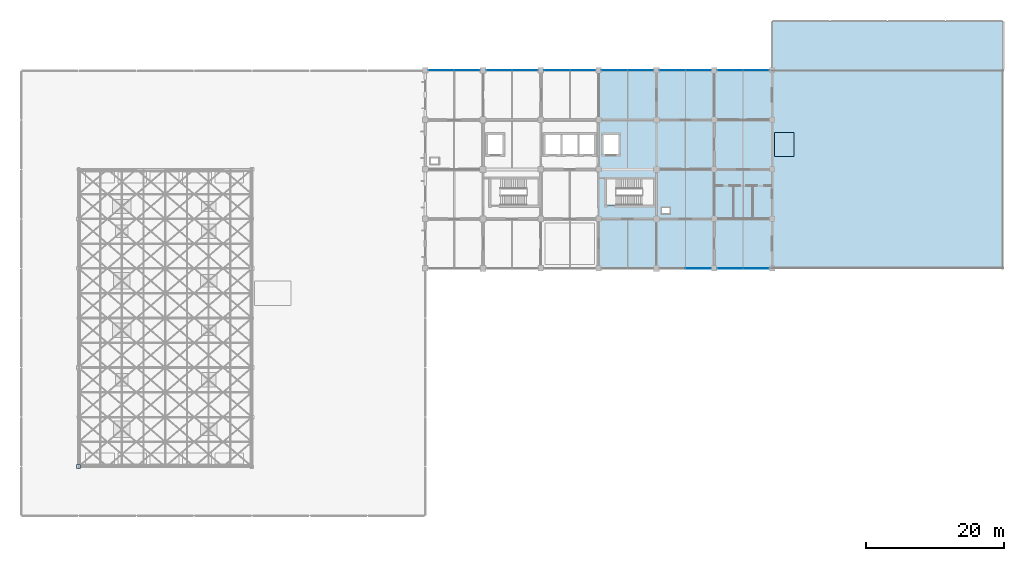
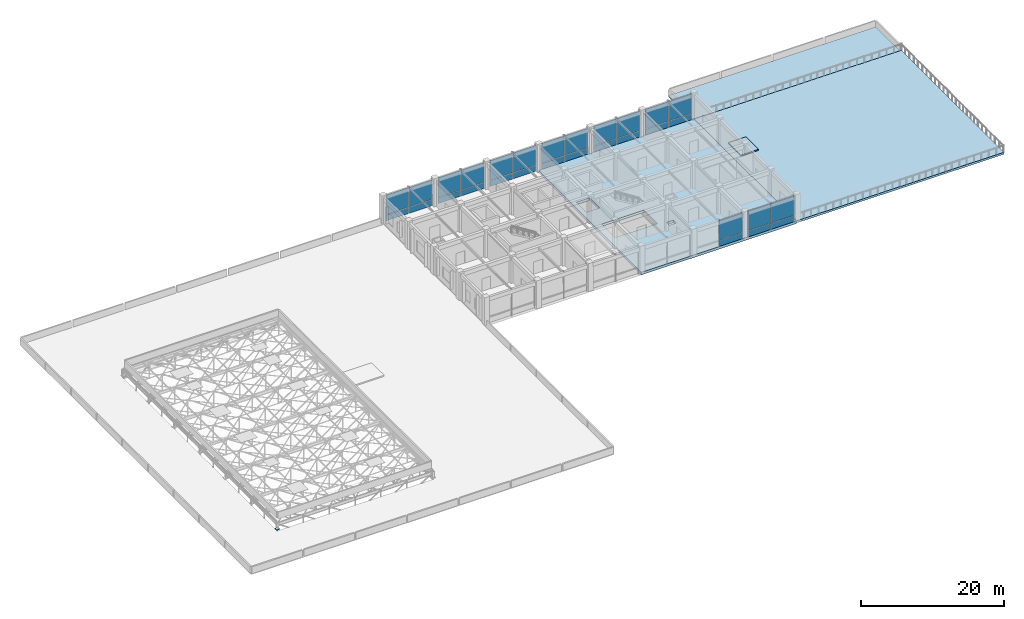
# One storey, part 37 of 45: 31 plates, 4 slabs, 8 elements without a shape of their own.
"""IFC4 building model written with IfcOpenShell, lengths in metres."""

from ifc_helpers import new_model, si_unit, derived_unit, direction, frame, origin, origin_2d, place, context, subcontext, project, spatial, polyline, rectangle, outline, extrude, material, layer, layer_set, type_object, element, aggregate, save


model = new_model("IFC4")

# Units and contexts
model_context = context("Model", 3, precision=1e-05, world=origin(), true_north=direction((0.0, 1.0)))
body_context = subcontext(model_context, "Body", "Model", "MODEL_VIEW")
ifc_project = project(units=[si_unit("LENGTHUNIT", "METRE"), si_unit("AREAUNIT", "SQUARE_METRE"), si_unit("VOLUMEUNIT", "CUBIC_METRE"), si_unit("PLANEANGLEUNIT", "RADIAN"), si_unit("MASSUNIT", "GRAM", prefix="KILO"), derived_unit("THERMALTRANSMITTANCEUNIT", [(si_unit("MASSUNIT", "GRAM", prefix="KILO"), 1), (si_unit("TIMEUNIT", "SECOND"), -3), (si_unit("THERMODYNAMICTEMPERATUREUNIT", "KELVIN"), -1)])], contexts=[model_context])

# Site, building, storey
site_placement = place(None, origin())
site = spatial("IfcSite", under=ifc_project, at=site_placement, CompositionType="ELEMENT")
building_placement = place(site_placement, origin())
building = spatial("IfcBuilding", under=site, at=building_placement, Name="Veldstrom Oceanarium and Marine Research Institute", CompositionType="ELEMENT")
storey_placement = place(building_placement, frame((0.0, 0.0, 22.199951171875)))
storey = spatial("IfcBuildingStorey", under=building, at=storey_placement, Name="L04", CompositionType="ELEMENT", Elevation=22.199951171875)

# Curtain wall, plates
ifc_material_1 = material(Name="Anodised Aluminium Framing", Category="aluminium")
curtain_wall_type = type_object("IfcCurtainWallType", Name="ARC-CW-CW03", PredefinedType="USERDEFINED", material=ifc_material_1)
curtain_wall_1_placement = place(storey_placement, origin())
curtain_wall_1 = element("IfcCurtainWall", 1, at=curtain_wall_1_placement, inside=storey, type_object=curtain_wall_type, Name="Curtain Wall CW03 CW-L04-079", ObjectType="Curtain wall", PredefinedType="USERDEFINED")
ifc_material_2 = material(Name="Double Glazed Low-E IGU", Category="glass")
ifc_layer_1 = layer(ifc_material_2, 0.035888671875)
ifc_layer_set_1 = layer_set([ifc_layer_1], Name="ARC-PLT-CP03")
plate_type_1 = type_object("IfcPlateType", Name="ARC-PLT-CP03", PredefinedType="CURTAIN_PANEL", material=ifc_layer_set_1)
plate_1_placement = place(storey_placement, frame((69.513671875, 72.0, 1.09033203125), z_axis=(0.0, 0.0, 1.0), x_axis=(1.0, 0.0, 0.0)))
plate_1 = element("IfcPlate", 2, at=plate_1_placement, type_object=plate_type_1, Name="Curtain Vision Panel CW-L04-079-PNL-V1", PredefinedType="CURTAIN_PANEL", context=body_context, shape_type="SweptSolid", body=[
    extrude(rectangle(XDim=3.66748046875, YDim=0.035888671875, at=origin_2d()), origin(), (0.0, 0.0, 1.0), 3.409912109375),
])
plate_2_placement = place(storey_placement, frame((73.26123046875, 72.0, 1.09033203125), z_axis=(0.0, 0.0, 1.0), x_axis=(1.0, 0.0, 0.0)))
plate_2 = element("IfcPlate", 3, at=plate_2_placement, type_object=plate_type_1, Name="Curtain Vision Panel CW-L04-079-PNL-V2", PredefinedType="CURTAIN_PANEL", context=body_context, shape_type="SweptSolid", body=[
    extrude(rectangle(XDim=3.66748046875, YDim=0.035888671875, at=origin_2d()), origin(), (0.0, 0.0, 1.0), 3.409912109375),
])

curtain_wall_2_placement = place(storey_placement, origin())
curtain_wall_2 = element("IfcCurtainWall", 4, at=curtain_wall_2_placement, inside=storey, type_object=curtain_wall_type, Name="Curtain Wall CW03 CW-L04-081", ObjectType="Curtain wall", PredefinedType="USERDEFINED")
plate_3_placement = place(storey_placement, frame((77.938720703125, 72.0, 1.09033203125), z_axis=(0.0, 0.0, 1.0), x_axis=(1.0, 0.0, 0.0)))
plate_3 = element("IfcPlate", 5, at=plate_3_placement, type_object=plate_type_1, Name="Curtain Vision Panel CW-L04-081-PNL-V1", PredefinedType="CURTAIN_PANEL", context=body_context, shape_type="SweptSolid", body=[
    extrude(rectangle(XDim=3.66748046875, YDim=0.035888671875, at=origin_2d()), origin(), (0.0, 0.0, 1.0), 3.409912109375),
])
plate_4_placement = place(storey_placement, frame((81.686279296875, 72.0, 1.09033203125), z_axis=(0.0, 0.0, 1.0), x_axis=(1.0, 0.0, 0.0)))
plate_4 = element("IfcPlate", 6, at=plate_4_placement, type_object=plate_type_1, Name="Curtain Vision Panel CW-L04-081-PNL-V2", PredefinedType="CURTAIN_PANEL", context=body_context, shape_type="SweptSolid", body=[
    extrude(rectangle(XDim=3.66748046875, YDim=0.035888671875, at=origin_2d()), origin(), (0.0, 0.0, 1.0), 3.409912109375),
])

curtain_wall_3_placement = place(storey_placement, origin())
curtain_wall_3 = element("IfcCurtainWall", 7, at=curtain_wall_3_placement, inside=storey, type_object=curtain_wall_type, Name="Curtain Wall CW03 CW-L04-083", ObjectType="Curtain wall", PredefinedType="USERDEFINED")
plate_5_placement = place(storey_placement, frame((86.320068359375, 72.0, 1.09033203125), z_axis=(0.0, 0.0, 1.0), x_axis=(1.0, 0.0, 0.0)))
plate_5 = element("IfcPlate", 8, at=plate_5_placement, type_object=plate_type_1, Name="Curtain Vision Panel CW-L04-083-PNL-V1", PredefinedType="CURTAIN_PANEL", context=body_context, shape_type="SweptSolid", body=[
    extrude(rectangle(XDim=3.679931640625, YDim=0.035888671875, at=origin_2d()), origin(), (0.0, 0.0, 1.0), 3.409912109375),
])
plate_6_placement = place(storey_placement, frame((90.080078125, 72.0, 1.09033203125), z_axis=(0.0, 0.0, 1.0), x_axis=(1.0, 0.0, 0.0)))
plate_6 = element("IfcPlate", 9, at=plate_6_placement, type_object=plate_type_1, Name="Curtain Vision Panel CW-L04-083-PNL-V2", PredefinedType="CURTAIN_PANEL", context=body_context, shape_type="SweptSolid", body=[
    extrude(rectangle(XDim=3.679931640625, YDim=0.035888671875, at=origin_2d()), origin(), (0.0, 0.0, 1.0), 3.409912109375),
])

curtain_wall_4_placement = place(storey_placement, origin())
curtain_wall_4 = element("IfcCurtainWall", 10, at=curtain_wall_4_placement, inside=storey, type_object=curtain_wall_type, Name="Curtain Wall CW03 CW-L04-085", ObjectType="Curtain wall", PredefinedType="USERDEFINED")
plate_7_placement = place(storey_placement, frame((94.713623046875, 72.0, 1.09033203125), z_axis=(0.0, 0.0, 1.0), x_axis=(1.0, 0.0, 0.0)))
plate_7 = element("IfcPlate", 11, at=plate_7_placement, type_object=plate_type_1, Name="Curtain Vision Panel CW-L04-085-PNL-V1", PredefinedType="CURTAIN_PANEL", context=body_context, shape_type="SweptSolid", body=[
    extrude(rectangle(XDim=3.66748046875, YDim=0.035888671875, at=origin_2d()), origin(), (0.0, 0.0, 1.0), 3.409912109375),
])
plate_8_placement = place(storey_placement, frame((98.461181640625, 72.0, 1.09033203125), z_axis=(0.0, 0.0, 1.0), x_axis=(1.0, 0.0, 0.0)))
plate_8 = element("IfcPlate", 12, at=plate_8_placement, type_object=plate_type_1, Name="Curtain Vision Panel CW-L04-085-PNL-V2", PredefinedType="CURTAIN_PANEL", context=body_context, shape_type="SweptSolid", body=[
    extrude(rectangle(XDim=3.66748046875, YDim=0.035888671875, at=origin_2d()), origin(), (0.0, 0.0, 1.0), 3.409912109375),
])

# Curtain wall, plate
curtain_wall_5_placement = place(storey_placement, origin())
curtain_wall_5 = element("IfcCurtainWall", 13, at=curtain_wall_5_placement, inside=storey, type_object=curtain_wall_type, Name="Curtain Wall CW03 CW-L04-086", ObjectType="Curtain wall", PredefinedType="USERDEFINED")
plate_9_placement = place(storey_placement, frame((106.88623046875, 43.199951171875, 1.09033203125), z_axis=(0.0, 0.0, 1.0), x_axis=(1.0, 0.0, 0.0)))
plate_9 = element("IfcPlate", 14, at=plate_9_placement, type_object=plate_type_1, Name="Curtain Vision Panel CW-L04-086-PNL-V2", PredefinedType="CURTAIN_PANEL", context=body_context, shape_type="SweptSolid", body=[
    extrude(rectangle(XDim=3.66748046875, YDim=0.035888671875, at=origin_2d()), origin(), (0.0, 0.0, 1.0), 3.409912109375),
])

# Curtain wall, plates
curtain_wall_6_placement = place(storey_placement, origin())
curtain_wall_6 = element("IfcCurtainWall", 15, at=curtain_wall_6_placement, inside=storey, type_object=curtain_wall_type, Name="Curtain Wall CW03 CW-L04-087", ObjectType="Curtain wall", PredefinedType="USERDEFINED")
plate_10_placement = place(storey_placement, frame((103.138671875, 72.0, 1.09033203125), z_axis=(0.0, 0.0, 1.0), x_axis=(1.0, 0.0, 0.0)))
plate_10 = element("IfcPlate", 16, at=plate_10_placement, type_object=plate_type_1, Name="Curtain Vision Panel CW-L04-087-PNL-V1", PredefinedType="CURTAIN_PANEL", context=body_context, shape_type="SweptSolid", body=[
    extrude(rectangle(XDim=3.66748046875, YDim=0.035888671875, at=origin_2d()), origin(), (0.0, 0.0, 1.0), 3.409912109375),
])
plate_11_placement = place(storey_placement, frame((106.88623046875, 72.0, 1.09033203125), z_axis=(0.0, 0.0, 1.0), x_axis=(1.0, 0.0, 0.0)))
plate_11 = element("IfcPlate", 17, at=plate_11_placement, type_object=plate_type_1, Name="Curtain Vision Panel CW-L04-087-PNL-V2", PredefinedType="CURTAIN_PANEL", context=body_context, shape_type="SweptSolid", body=[
    extrude(rectangle(XDim=3.66748046875, YDim=0.035888671875, at=origin_2d()), origin(), (0.0, 0.0, 1.0), 3.409912109375),
])

curtain_wall_7_placement = place(storey_placement, origin())
curtain_wall_7 = element("IfcCurtainWall", 18, at=curtain_wall_7_placement, inside=storey, type_object=curtain_wall_type, Name="Curtain Wall CW03 CW-L04-088", ObjectType="Curtain wall", PredefinedType="USERDEFINED")
plate_12_placement = place(storey_placement, frame((111.52001953125, 43.199951171875, 1.09033203125), z_axis=(0.0, 0.0, 1.0), x_axis=(1.0, 0.0, 0.0)))
plate_12 = element("IfcPlate", 19, at=plate_12_placement, type_object=plate_type_1, Name="Curtain Vision Panel CW-L04-088-PNL-V1", PredefinedType="CURTAIN_PANEL", context=body_context, shape_type="SweptSolid", body=[
    extrude(rectangle(XDim=3.679931640625, YDim=0.035888671875, at=origin_2d()), origin(), (0.0, 0.0, 1.0), 3.409912109375),
])
plate_13_placement = place(storey_placement, frame((115.280029296875, 43.199951171875, 1.09033203125), z_axis=(0.0, 0.0, 1.0), x_axis=(1.0, 0.0, 0.0)))
plate_13 = element("IfcPlate", 20, at=plate_13_placement, type_object=plate_type_1, Name="Curtain Vision Panel CW-L04-088-PNL-V2", PredefinedType="CURTAIN_PANEL", context=body_context, shape_type="SweptSolid", body=[
    extrude(rectangle(XDim=3.679931640625, YDim=0.035888671875, at=origin_2d()), origin(), (0.0, 0.0, 1.0), 3.409912109375),
])

curtain_wall_8_placement = place(storey_placement, origin())
curtain_wall_8 = element("IfcCurtainWall", 21, at=curtain_wall_8_placement, inside=storey, type_object=curtain_wall_type, Name="Curtain Wall CW03 CW-L04-089", ObjectType="Curtain wall", PredefinedType="USERDEFINED")
plate_14_placement = place(storey_placement, frame((111.52001953125, 72.0, 1.09033203125), z_axis=(0.0, 0.0, 1.0), x_axis=(1.0, 0.0, 0.0)))
plate_14 = element("IfcPlate", 22, at=plate_14_placement, type_object=plate_type_1, Name="Curtain Vision Panel CW-L04-089-PNL-V1", PredefinedType="CURTAIN_PANEL", context=body_context, shape_type="SweptSolid", body=[
    extrude(rectangle(XDim=3.679931640625, YDim=0.035888671875, at=origin_2d()), origin(), (0.0, 0.0, 1.0), 3.409912109375),
])
plate_15_placement = place(storey_placement, frame((115.280029296875, 72.0, 1.09033203125), z_axis=(0.0, 0.0, 1.0), x_axis=(1.0, 0.0, 0.0)))
plate_15 = element("IfcPlate", 23, at=plate_15_placement, type_object=plate_type_1, Name="Curtain Vision Panel CW-L04-089-PNL-V2", PredefinedType="CURTAIN_PANEL", context=body_context, shape_type="SweptSolid", body=[
    extrude(rectangle(XDim=3.679931640625, YDim=0.035888671875, at=origin_2d()), origin(), (0.0, 0.0, 1.0), 3.409912109375),
])

# Plate
ifc_material_3 = material(Name="Insulated Aluminium Spandrel", Category="aluminium")
ifc_layer_2 = layer(ifc_material_3, 0.044921875)
ifc_layer_set_2 = layer_set([ifc_layer_2], Name="ARC-PLT-CP04")
plate_type_2 = type_object("IfcPlateType", Name="ARC-PLT-CP04", PredefinedType="CURTAIN_PANEL", material=ifc_layer_set_2)
plate_16_placement = place(storey_placement, frame((69.513671875, 72.0, 0.02001953125), z_axis=(0.0, 0.0, 1.0), x_axis=(1.0, 0.0, 0.0)))
plate_16 = element("IfcPlate", 24, at=plate_16_placement, type_object=plate_type_2, Name="Curtain Spandrel Panel CW-L04-079-PNL-S1", PredefinedType="CURTAIN_PANEL", context=body_context, shape_type="SweptSolid", body=[
    extrude(rectangle(XDim=3.66748046875, YDim=0.044921875, at=origin_2d()), origin(), (0.0, 0.0, 1.0), 0.989990234375),
])

plate_17_placement = place(storey_placement, frame((73.26123046875, 72.0, 0.02001953125), z_axis=(0.0, 0.0, 1.0), x_axis=(1.0, 0.0, 0.0)))
plate_17 = element("IfcPlate", 25, at=plate_17_placement, type_object=plate_type_2, Name="Curtain Spandrel Panel CW-L04-079-PNL-S2", PredefinedType="CURTAIN_PANEL", context=body_context, shape_type="SweptSolid", body=[
    extrude(rectangle(XDim=3.66748046875, YDim=0.044921875, at=origin_2d()), origin(), (0.0, 0.0, 1.0), 0.989990234375),
])

aggregate(curtain_wall_1, [plate_16, plate_1, plate_17, plate_2])

plate_18_placement = place(storey_placement, frame((77.938720703125, 72.0, 0.02001953125), z_axis=(0.0, 0.0, 1.0), x_axis=(1.0, 0.0, 0.0)))
plate_18 = element("IfcPlate", 26, at=plate_18_placement, type_object=plate_type_2, Name="Curtain Spandrel Panel CW-L04-081-PNL-S1", PredefinedType="CURTAIN_PANEL", context=body_context, shape_type="SweptSolid", body=[
    extrude(rectangle(XDim=3.66748046875, YDim=0.044921875, at=origin_2d()), origin(), (0.0, 0.0, 1.0), 0.989990234375),
])

plate_19_placement = place(storey_placement, frame((81.686279296875, 72.0, 0.02001953125), z_axis=(0.0, 0.0, 1.0), x_axis=(1.0, 0.0, 0.0)))
plate_19 = element("IfcPlate", 27, at=plate_19_placement, type_object=plate_type_2, Name="Curtain Spandrel Panel CW-L04-081-PNL-S2", PredefinedType="CURTAIN_PANEL", context=body_context, shape_type="SweptSolid", body=[
    extrude(rectangle(XDim=3.66748046875, YDim=0.044921875, at=origin_2d()), origin(), (0.0, 0.0, 1.0), 0.989990234375),
])

aggregate(curtain_wall_2, [plate_18, plate_3, plate_19, plate_4])

plate_20_placement = place(storey_placement, frame((86.320068359375, 72.0, 0.02001953125), z_axis=(0.0, 0.0, 1.0), x_axis=(1.0, 0.0, 0.0)))
plate_20 = element("IfcPlate", 28, at=plate_20_placement, type_object=plate_type_2, Name="Curtain Spandrel Panel CW-L04-083-PNL-S1", PredefinedType="CURTAIN_PANEL", context=body_context, shape_type="SweptSolid", body=[
    extrude(rectangle(XDim=3.679931640625, YDim=0.044921875, at=origin_2d()), origin(), (0.0, 0.0, 1.0), 0.989990234375),
])

plate_21_placement = place(storey_placement, frame((90.080078125, 72.0, 0.02001953125), z_axis=(0.0, 0.0, 1.0), x_axis=(1.0, 0.0, 0.0)))
plate_21 = element("IfcPlate", 29, at=plate_21_placement, type_object=plate_type_2, Name="Curtain Spandrel Panel CW-L04-083-PNL-S2", PredefinedType="CURTAIN_PANEL", context=body_context, shape_type="SweptSolid", body=[
    extrude(rectangle(XDim=3.679931640625, YDim=0.044921875, at=origin_2d()), origin(), (0.0, 0.0, 1.0), 0.989990234375),
])

aggregate(curtain_wall_3, [plate_20, plate_5, plate_21, plate_6])

plate_22_placement = place(storey_placement, frame((94.713623046875, 72.0, 0.02001953125), z_axis=(0.0, 0.0, 1.0), x_axis=(1.0, 0.0, 0.0)))
plate_22 = element("IfcPlate", 30, at=plate_22_placement, type_object=plate_type_2, Name="Curtain Spandrel Panel CW-L04-085-PNL-S1", PredefinedType="CURTAIN_PANEL", context=body_context, shape_type="SweptSolid", body=[
    extrude(rectangle(XDim=3.66748046875, YDim=0.044921875, at=origin_2d()), origin(), (0.0, 0.0, 1.0), 0.989990234375),
])

plate_23_placement = place(storey_placement, frame((98.461181640625, 72.0, 0.02001953125), z_axis=(0.0, 0.0, 1.0), x_axis=(1.0, 0.0, 0.0)))
plate_23 = element("IfcPlate", 31, at=plate_23_placement, type_object=plate_type_2, Name="Curtain Spandrel Panel CW-L04-085-PNL-S2", PredefinedType="CURTAIN_PANEL", context=body_context, shape_type="SweptSolid", body=[
    extrude(rectangle(XDim=3.66748046875, YDim=0.044921875, at=origin_2d()), origin(), (0.0, 0.0, 1.0), 0.989990234375),
])

aggregate(curtain_wall_4, [plate_22, plate_7, plate_23, plate_8])

plate_24_placement = place(storey_placement, frame((106.88623046875, 43.199951171875, 0.02001953125), z_axis=(0.0, 0.0, 1.0), x_axis=(1.0, 0.0, 0.0)))
plate_24 = element("IfcPlate", 32, at=plate_24_placement, type_object=plate_type_2, Name="Curtain Spandrel Panel CW-L04-086-PNL-S2", PredefinedType="CURTAIN_PANEL", context=body_context, shape_type="SweptSolid", body=[
    extrude(rectangle(XDim=3.66748046875, YDim=0.044921875, at=origin_2d()), origin(), (0.0, 0.0, 1.0), 0.989990234375),
])

aggregate(curtain_wall_5, [plate_24, plate_9])

plate_25_placement = place(storey_placement, frame((103.138671875, 72.0, 0.02001953125), z_axis=(0.0, 0.0, 1.0), x_axis=(1.0, 0.0, 0.0)))
plate_25 = element("IfcPlate", 33, at=plate_25_placement, type_object=plate_type_2, Name="Curtain Spandrel Panel CW-L04-087-PNL-S1", PredefinedType="CURTAIN_PANEL", context=body_context, shape_type="SweptSolid", body=[
    extrude(rectangle(XDim=3.66748046875, YDim=0.044921875, at=origin_2d()), origin(), (0.0, 0.0, 1.0), 0.989990234375),
])

plate_26_placement = place(storey_placement, frame((106.88623046875, 72.0, 0.02001953125), z_axis=(0.0, 0.0, 1.0), x_axis=(1.0, 0.0, 0.0)))
plate_26 = element("IfcPlate", 34, at=plate_26_placement, type_object=plate_type_2, Name="Curtain Spandrel Panel CW-L04-087-PNL-S2", PredefinedType="CURTAIN_PANEL", context=body_context, shape_type="SweptSolid", body=[
    extrude(rectangle(XDim=3.66748046875, YDim=0.044921875, at=origin_2d()), origin(), (0.0, 0.0, 1.0), 0.989990234375),
])

aggregate(curtain_wall_6, [plate_25, plate_10, plate_26, plate_11])

plate_27_placement = place(storey_placement, frame((111.52001953125, 43.199951171875, 0.02001953125), z_axis=(0.0, 0.0, 1.0), x_axis=(1.0, 0.0, 0.0)))
plate_27 = element("IfcPlate", 35, at=plate_27_placement, type_object=plate_type_2, Name="Curtain Spandrel Panel CW-L04-088-PNL-S1", PredefinedType="CURTAIN_PANEL", context=body_context, shape_type="SweptSolid", body=[
    extrude(rectangle(XDim=3.679931640625, YDim=0.044921875, at=origin_2d()), origin(), (0.0, 0.0, 1.0), 0.989990234375),
])

plate_28_placement = place(storey_placement, frame((115.280029296875, 43.199951171875, 0.02001953125), z_axis=(0.0, 0.0, 1.0), x_axis=(1.0, 0.0, 0.0)))
plate_28 = element("IfcPlate", 36, at=plate_28_placement, type_object=plate_type_2, Name="Curtain Spandrel Panel CW-L04-088-PNL-S2", PredefinedType="CURTAIN_PANEL", context=body_context, shape_type="SweptSolid", body=[
    extrude(rectangle(XDim=3.679931640625, YDim=0.044921875, at=origin_2d()), origin(), (0.0, 0.0, 1.0), 0.989990234375),
])

aggregate(curtain_wall_7, [plate_27, plate_12, plate_28, plate_13])

plate_29_placement = place(storey_placement, frame((111.52001953125, 72.0, 0.02001953125), z_axis=(0.0, 0.0, 1.0), x_axis=(1.0, 0.0, 0.0)))
plate_29 = element("IfcPlate", 37, at=plate_29_placement, type_object=plate_type_2, Name="Curtain Spandrel Panel CW-L04-089-PNL-S1", PredefinedType="CURTAIN_PANEL", context=body_context, shape_type="SweptSolid", body=[
    extrude(rectangle(XDim=3.679931640625, YDim=0.044921875, at=origin_2d()), origin(), (0.0, 0.0, 1.0), 0.989990234375),
])

plate_30_placement = place(storey_placement, frame((115.280029296875, 72.0, 0.02001953125), z_axis=(0.0, 0.0, 1.0), x_axis=(1.0, 0.0, 0.0)))
plate_30 = element("IfcPlate", 38, at=plate_30_placement, type_object=plate_type_2, Name="Curtain Spandrel Panel CW-L04-089-PNL-S2", PredefinedType="CURTAIN_PANEL", context=body_context, shape_type="SweptSolid", body=[
    extrude(rectangle(XDim=3.679931640625, YDim=0.044921875, at=origin_2d()), origin(), (0.0, 0.0, 1.0), 0.989990234375),
])

aggregate(curtain_wall_8, [plate_29, plate_14, plate_30, plate_15])

ifc_material_4 = material(Name="Steel S355JR", Category="steel")
ifc_layer_3 = layer(ifc_material_4, 0.034912109375)
ifc_layer_set_3 = layer_set([ifc_layer_3], Name="STR-PLT-BP2")
plate_type_3 = type_object("IfcPlateType", Name="STR-PLT-BP2", PredefinedType="SHEET", material=ifc_layer_set_3)
plate_31_placement = place(storey_placement, frame((16.800048828125, 14.39990234375, 0.0), z_axis=(0.0, 0.0, 1.0), x_axis=(1.0, 0.0, 0.0)))
element("IfcPlate", 39, at=plate_31_placement, inside=storey, type_object=plate_type_3, Name="Steel Pedestal Base Plate BP02-001", PredefinedType="SHEET", context=body_context, shape_type="SweptSolid", body=[
    extrude(rectangle(XDim=0.550048828125, YDim=0.550048828125, at=origin_2d()), origin(), (0.0, 0.0, 1.0), 0.034912109375),
])

# Slabs
ifc_material_5 = material(Name="Concrete C40/50", Category="concrete")
ifc_layer_4 = layer(ifc_material_5, 0.449951171875)
ifc_layer_set_4 = layer_set([ifc_layer_4], Name="STR-SLB-FL0450")
slab_type_1 = type_object("IfcSlabType", Name="STR-SLB-FL0450", PredefinedType="FLOOR", material=ifc_layer_set_4)
slab_1_placement = place(storey_placement, frame((0.0, 0.0, -0.449951171875)))
element("IfcSlab", 40, at=slab_1_placement, inside=storey, type_object=slab_type_1, Name="Slab SF-450 L04 CE", PredefinedType="FLOOR", context=body_context, shape_type="SweptSolid", body=[
    extrude(outline(polyline([(117.60009765625, 57.60009765625), (117.60009765625, 50.39990234375), (117.60009765625, 43.199951171875), (109.199951171875, 43.199951171875), (100.800048828125, 43.199951171875), (92.39990234375, 43.199951171875), (92.39990234375, 50.39990234375), (92.39990234375, 57.60009765625), (92.39990234375, 64.800048828125), (92.39990234375, 72.0), (100.800048828125, 72.0), (109.199951171875, 72.0), (117.60009765625, 72.0), (117.60009765625, 64.800048828125), (117.60009765625, 57.60009765625)]), holes=[polyline([(93.52001953125, 52.39990234375), (100.360107421875, 52.39990234375), (100.360107421875, 56.199951171875), (93.52001953125, 56.199951171875), (93.52001953125, 52.39990234375)]), polyline([(95.25, 62.60009765625), (93.10009765625, 62.60009765625), (93.10009765625, 59.800048828125), (95.25, 59.800048828125), (95.25, 62.60009765625)]), polyline([(102.699951171875, 52.0), (101.60009765625, 52.0), (101.60009765625, 51.199951171875), (102.699951171875, 51.199951171875), (102.699951171875, 52.0)])]), origin(), (0.0, 0.0, 1.0), 0.449951171875),
])
ifc_material_6 = material(Name="Concrete C40/50", Category="concrete")
ifc_layer_5 = layer(ifc_material_6, 0.199951171875)
ifc_layer_set_5 = layer_set([ifc_layer_5], Name="STR-SLB-RF0200")
slab_type_2 = type_object("IfcSlabType", Name="STR-SLB-RF0200", PredefinedType="ROOF", material=ifc_layer_set_5)
slab_2_placement = place(storey_placement, frame((0.0, 0.0, 1.10009765625)))
element("IfcSlab", 41, at=slab_2_placement, inside=storey, type_object=slab_type_2, Name="Lift Bank Overrun Roof Slab 14/8", PredefinedType="ROOF", context=body_context, shape_type="SweptSolid", body=[
    extrude(outline(polyline([(117.93994140625, 59.43994140625), (120.81005859375, 59.43994140625), (120.81005859375, 62.9599609375), (117.93994140625, 62.9599609375), (117.93994140625, 59.43994140625)])), origin(), (0.0, 0.0, 1.0), 0.199951171875),
])
ifc_material_7 = material(Name="Concrete C40/50", Category="concrete")
ifc_layer_6 = layer(ifc_material_7, 0.22509765625)
ifc_layer_set_6 = layer_set([ifc_layer_6], Name="STR-SLB-RF0225")
slab_type_3 = type_object("IfcSlabType", Name="STR-SLB-RF0225", PredefinedType="ROOF", material=ifc_layer_set_6)
slab_3_placement = place(storey_placement, frame((0.0, 0.0, -0.574951171875)))
element("IfcSlab", 42, at=slab_3_placement, inside=storey, type_object=slab_type_3, Name="Maintenance Roof Slab L03", PredefinedType="ROOF", context=body_context, shape_type="SweptSolid", body=[
    extrude(outline(polyline([(151.199951171875, 79.199951171875), (151.199951171875, 72.0), (142.800048828125, 72.0), (134.39990234375, 72.0), (126.0, 72.0), (117.60009765625, 72.0), (117.60009765625, 79.199951171875), (126.0, 79.199951171875), (134.39990234375, 79.199951171875), (142.800048828125, 79.199951171875), (151.199951171875, 79.199951171875)])), origin(), (0.0, 0.0, 1.0), 0.22509765625),
])
ifc_material_8 = material(Name="Concrete C40/50", Category="concrete")
ifc_layer_7 = layer(ifc_material_8, 0.35009765625)
ifc_layer_set_7 = layer_set([ifc_layer_7], Name="STR-SLB-RF0350")
slab_type_4 = type_object("IfcSlabType", Name="STR-SLB-RF0350", PredefinedType="ROOF", material=ifc_layer_set_7)
slab_4_placement = place(storey_placement, frame((0.0, 0.0, -0.349853515625)))
element("IfcSlab", 43, at=slab_4_placement, inside=storey, type_object=slab_type_4, Name="Landscaped Roof Terrace Slab L04", PredefinedType="ROOF", context=body_context, shape_type="SweptSolid", body=[
    extrude(outline(polyline([(117.60009765625, 64.800048828125), (117.60009765625, 72.0), (126.0, 72.0), (134.39990234375, 72.0), (142.800048828125, 72.0), (151.199951171875, 72.0), (151.199951171875, 64.800048828125), (151.199951171875, 57.60009765625), (151.199951171875, 50.39990234375), (151.199951171875, 43.199951171875), (142.800048828125, 43.199951171875), (134.39990234375, 43.199951171875), (126.0, 43.199951171875), (117.60009765625, 43.199951171875), (117.60009765625, 50.39990234375), (117.60009765625, 57.60009765625), (117.60009765625, 64.800048828125)])), origin(), (0.0, 0.0, 1.0), 0.349853515625),
])

save(model, "model.ifc")
